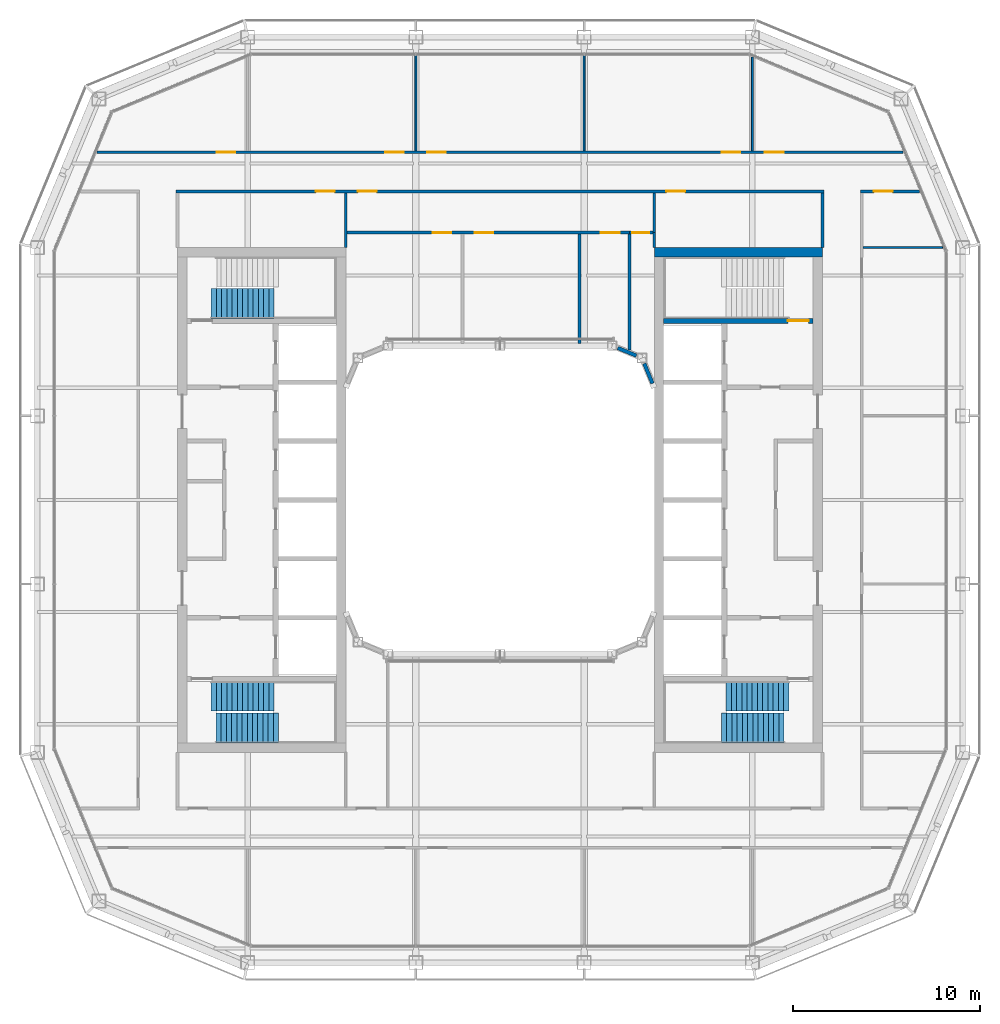
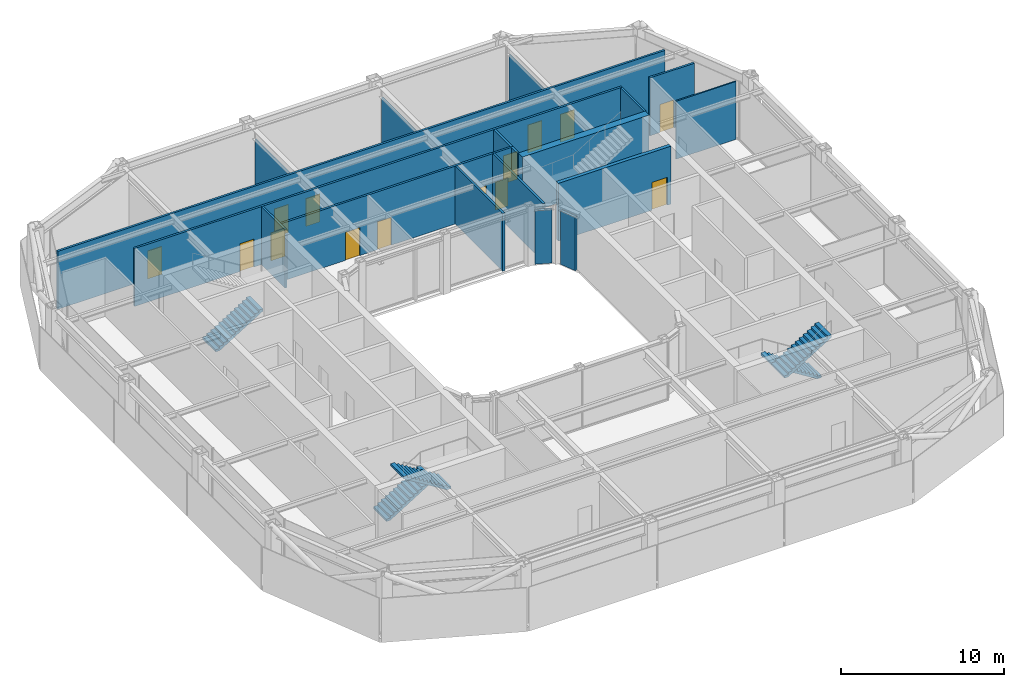
# One storey, part 12 of 17: 19 walls, 14 doors, 5 stair flights, 14 openings, 3 elements without a shape of their own.
"""IFC4 building model written with IfcOpenShell, lengths in metres."""

import ifcopenshell
import ifcopenshell.guid

model = None  # the IFC model being written
_history = None  # IfcOwnerHistory: only IFC2X3 demands one
_inside = {}  # id of a spatial element -> (the spatial element, [elements in it])
_under = {}  # id of a project, library or spatial element -> (it, [spatial elements below it])
_declared = {}  # id of a project -> (the project, [libraries it declares])
_typed = {}  # id of a type object -> (the type object, [elements of that type])
_made_of = {}  # id of a material, layer set ... -> (it, [elements and type objects made of it])


def new_model(schema):
    """Start an empty IFC model of exactly this schema.

    Asked for "IFC4X3", IfcOpenShell would pick the latest addendum, in which some entities
    have other attributes; the version numbers below select the first issue.
    IFC2X3 requires an IfcOwnerHistory on every rooted entity: one is made here for all.
    """
    global model, _history
    if schema == "IFC4X3":
        model = ifcopenshell.file(schema_version=(4, 3, 0, 0))
    else:
        model = ifcopenshell.file(schema=schema)
    _inside.clear()
    _under.clear()
    _declared.clear()
    _typed.clear()
    _made_of.clear()
    _history = None
    if model.schema == "IFC2X3":
        org = make("IfcOrganization", Name="unknown")
        user = make(
            "IfcPersonAndOrganization",
            ThePerson=make("IfcPerson", FamilyName="unknown"),
            TheOrganization=org,
        )
        app = make(
            "IfcApplication",
            ApplicationDeveloper=org,
            Version="unknown",
            ApplicationFullName="unknown",
            ApplicationIdentifier="unknown",
        )
        _history = make(
            "IfcOwnerHistory",
            OwningUser=user,
            OwningApplication=app,
            ChangeAction="ADDED",
            CreationDate=0,
        )
    return model


def make(cls, **values):
    """One entity of the class cls with the attributes given. An attribute that is None is left unset."""
    return model.create_entity(
        cls, **{name: value for name, value in values.items() if value is not None}
    )


def rooted(cls, **values):
    """An entity with a GlobalId (a new one), such as an element, a storey or a relation."""
    return make(cls, GlobalId=ifcopenshell.guid.new(), OwnerHistory=_history, **values)


def si_unit(unit_type, name, prefix=None):
    """IfcSIUnit, for example si_unit("LENGTHUNIT", "METRE", prefix="MILLI")."""
    return make("IfcSIUnit", UnitType=unit_type, Prefix=prefix, Name=name)


def assignment(units):
    """IfcUnitAssignment: the units of a project."""
    return None if units is None else make("IfcUnitAssignment", Units=units)


def point(xyz):
    """IfcCartesianPoint."""
    return None if xyz is None else make("IfcCartesianPoint", Coordinates=xyz)


def direction(xyz):
    """IfcDirection."""
    return None if xyz is None else make("IfcDirection", DirectionRatios=xyz)


def frame(location, z_axis=None, x_axis=None):
    """IfcAxis2Placement3D, a coordinate frame: its origin and axes. An axis left out is left unset."""
    return make(
        "IfcAxis2Placement3D",
        Location=point(location),
        Axis=direction(z_axis),
        RefDirection=direction(x_axis),
    )


def frame_2d(location, x_axis=None):
    """IfcAxis2Placement2D, a coordinate frame in the plane: its origin and x axis."""
    return make(
        "IfcAxis2Placement2D", Location=point(location), RefDirection=direction(x_axis)
    )


def origin():
    """The frame at (0, 0, 0) with its axes left unset."""
    return frame((0.0, 0.0, 0.0))


def place(relative_to, where):
    """IfcLocalPlacement: puts the frame where relative to a parent placement (None: the world)."""
    return make(
        "IfcLocalPlacement", PlacementRelTo=relative_to, RelativePlacement=where
    )


def context(
    kind, dimensions, precision=None, world=None, true_north=None, identifier=None
):
    """IfcGeometricRepresentationContext, for example the 3D "Model" context."""
    return make(
        "IfcGeometricRepresentationContext",
        ContextIdentifier=identifier,
        ContextType=kind,
        CoordinateSpaceDimension=dimensions,
        Precision=precision,
        WorldCoordinateSystem=world,
        TrueNorth=true_north,
    )


def subcontext(parent, identifier, kind, view, scale=None):
    """IfcGeometricRepresentationSubContext, for example "Body" below "Model"."""
    return make(
        "IfcGeometricRepresentationSubContext",
        ContextIdentifier=identifier,
        ContextType=kind,
        ParentContext=parent,
        TargetScale=scale,
        TargetView=view,
    )


def project(units=None, contexts=None):
    """IfcProject with its units and contexts."""
    return rooted(
        "IfcProject",
        Name="project",
        RepresentationContexts=contexts,
        UnitsInContext=assignment(units),
    )


def spatial(cls, under=None, at=None, **own):
    """A site, building, storey or space (cls), placed at a placement, below another one or the project."""
    s = rooted(cls, ObjectPlacement=at, **own)
    if under is not None:
        _under.setdefault(under.id(), (under, []))[1].append(s)
    return s


def polyline(points):
    """IfcPolyline through the points."""
    return make("IfcPolyline", Points=[point(p) for p in points])


def profile(cls, at=None, kind="AREA", **sizes):
    """A parametric profile (cls). Its sizes go by their IFC names, for example OverallWidth=200.0."""
    return make(cls, ProfileType=kind, Position=at, **sizes)


def rectangle(**sizes):
    """IfcRectangleProfileDef."""
    return profile("IfcRectangleProfileDef", **sizes)


def outline(outer, holes=None, kind="AREA"):
    """IfcArbitraryClosedProfileDef: a profile drawn as a closed curve; with holes, ...WithVoids."""
    if holes is None:
        return make("IfcArbitraryClosedProfileDef", ProfileType=kind, OuterCurve=outer)
    return make(
        "IfcArbitraryProfileDefWithVoids",
        ProfileType=kind,
        OuterCurve=outer,
        InnerCurves=holes,
    )


def extrude(swept, where, along, depth):
    """IfcExtrudedAreaSolid: the profile swept, set in the frame where, extruded along a direction by depth."""
    return make(
        "IfcExtrudedAreaSolid",
        SweptArea=swept,
        Position=where,
        ExtrudedDirection=direction(along),
        Depth=depth,
    )


def shape(context_of_items, identifier, shape_type, items):
    """IfcShapeRepresentation: the items that make up one representation, for example the "Body"."""
    return make(
        "IfcShapeRepresentation",
        ContextOfItems=context_of_items,
        RepresentationIdentifier=identifier,
        RepresentationType=shape_type,
        Items=items,
    )


def material(Name=None, Category=None):
    """IfcMaterial."""
    return make("IfcMaterial", Name=Name, Category=Category)


def layer(
    of_material, thickness, ventilated=None, Name=None, Category=None, Priority=None
):
    """IfcMaterialLayer: one layer of a wall or slab, of a material (None: an air gap)."""
    return make(
        "IfcMaterialLayer",
        Material=of_material,
        LayerThickness=thickness,
        IsVentilated=ventilated,
        Name=Name,
        Category=Category,
        Priority=Priority,
    )


def layer_set(layers, Name=None):
    """IfcMaterialLayerSet."""
    return make("IfcMaterialLayerSet", MaterialLayers=layers, LayerSetName=Name)


def made_of(thing, what):
    """Note that an element or type object is made of a material, layer set ...; save() writes the relation."""
    if what is not None:
        _made_of.setdefault(what.id(), (what, []))[1].append(thing)
    return thing


def type_object(cls, material=None, **own):
    """A type object (cls), such as IfcWallType, which elements share."""
    return made_of(rooted(cls, **own), material)


def element(
    cls,
    number,
    at=None,
    inside=None,
    cuts=None,
    type_object=None,
    material=None,
    context=None,
    identifier="Body",
    shape_type=None,
    held_by="IfcProductDefinitionShape",
    body=None,
    shapes=None,
    **own,
):
    """One element of the class cls, such as IfcWall. Its Tag is "e" and its number.

    at: its placement. inside: the storey or other place that contains it. cuts: it is an
    opening in that element (IfcRelVoidsElement). A single representation is given by context,
    identifier, shape_type and body (its items); several are given by shapes. held_by: the class
    of the entity that holds the representations. save() writes the other relations.
    """
    e = rooted(cls, Tag="e%d" % number, ObjectPlacement=at, **own)
    if body is not None:
        shapes = [shape(context, identifier, shape_type, body)]
    if shapes is not None:
        e.Representation = make(held_by, Representations=shapes)
    if inside is not None:
        _inside.setdefault(inside.id(), (inside, []))[1].append(e)
    if cuts is not None:
        rooted(
            "IfcRelVoidsElement", RelatingBuildingElement=cuts, RelatedOpeningElement=e
        )
    if type_object is not None:
        _typed.setdefault(type_object.id(), (type_object, []))[1].append(e)
    return made_of(e, material)


def fill(opening, filler):
    """IfcRelFillsElement: the door or window that sits in an opening."""
    return rooted(
        "IfcRelFillsElement",
        RelatingOpeningElement=opening,
        RelatedBuildingElement=filler,
    )


def aggregate(whole, parts):
    """IfcRelAggregates: a whole, such as a stair, and the parts it consists of."""
    return rooted("IfcRelAggregates", RelatingObject=whole, RelatedObjects=parts)


def save(model, path):
    """Write the relations noted so far, then the file.

    IfcRelAggregates (storeys below a building ...), IfcRelContainedInSpatialStructure (elements
    in a storey), IfcRelDefinesByType, IfcRelAssociatesMaterial and IfcRelDeclares: one each for
    every whole, place, type object, material and project.
    """
    for whole, parts in _under.values():
        aggregate(whole, parts)
    for where, things in _inside.values():
        rooted(
            "IfcRelContainedInSpatialStructure",
            RelatedElements=things,
            RelatingStructure=where,
        )
    for kind, things in _typed.values():
        rooted("IfcRelDefinesByType", RelatedObjects=things, RelatingType=kind)
    for what, things in _made_of.values():
        rooted("IfcRelAssociatesMaterial", RelatedObjects=things, RelatingMaterial=what)
    for by, libraries in _declared.values():
        rooted("IfcRelDeclares", RelatingContext=by, RelatedDefinitions=libraries)
    model.write(path)


model = new_model("IFC4")

# Units and contexts
model_context = context("Model", 3, precision=1e-05, world=origin(), true_north=direction((0.0, 1.0)))
body_context = subcontext(model_context, "Body", "Model", "MODEL_VIEW")
ifc_project = project(units=[si_unit("LENGTHUNIT", "METRE"), si_unit("AREAUNIT", "SQUARE_METRE"), si_unit("VOLUMEUNIT", "CUBIC_METRE"), si_unit("PLANEANGLEUNIT", "RADIAN"), si_unit("MASSUNIT", "GRAM", prefix="KILO")], contexts=[model_context])

# Site, building, storey
site_placement = place(None, origin())
site = spatial("IfcSite", under=ifc_project, at=site_placement, CompositionType="ELEMENT")
building_placement = place(site_placement, origin())
building = spatial("IfcBuilding", under=site, at=building_placement, Name="Siwar Civic Tower", CompositionType="ELEMENT")
storey_placement = place(building_placement, frame((0.0, 0.0, 289.699951171875)))
storey = spatial("IfcBuildingStorey", under=building, at=storey_placement, Name="L62", CompositionType="ELEMENT", Elevation=289.699951171875)

# Wall, opening, door
ifc_material_1 = material(Name="Gypsum board on steel studs", Category="steel")
ifc_layer_1 = layer(ifc_material_1, 0.14990234375)
ifc_layer_set_1 = layer_set([ifc_layer_1], Name="Gypsum board on steel studs")
wall_type_1 = type_object("IfcWallType", Name="COMPARTMENT PARTITION 150 EI 60", PredefinedType="PARTITIONING", material=ifc_layer_set_1)
wall_1_placement = place(storey_placement, frame((6.919921875, 14.300048828125, 0.0), z_axis=(0.0, 0.0, 1.0), x_axis=(1.0, 0.0, 0.0)))
wall_1 = element("IfcWall", 1, at=wall_1_placement, inside=storey, type_object=wall_type_1, Name="L62/wall/P10", PredefinedType="PARTITIONING", context=body_context, shape_type="SweptSolid", body=[
    extrude(rectangle(XDim=1.255126953125, YDim=0.14990234375, at=frame_2d((0.62744140625, 0.0))), origin(), (0.0, 0.0, 1.0), 4.35009765625),
])
opening_1_placement = place(wall_1_placement, frame((0.14990234375, 0.0, 0.0)))
opening_1 = element("IfcOpeningElement", 2, at=opening_1_placement, cuts=wall_1, Name="Opening D4", PredefinedType="OPENING", context=body_context, shape_type="SweptSolid", body=[
    extrude(rectangle(XDim=0.89990234375, YDim=2.10009765625, at=frame_2d((0.449951171875, 1.050048828125))), frame((0.0, 0.0849609375, 0.0), z_axis=(0.0, -1.0, 0.0), x_axis=(1.0, 0.0, 0.0)), (0.0, 0.0, 1.0), 0.169921875),
])
ifc_material_2 = material(Name="Timber, painted", Category="wood")
door_type_1 = type_object("IfcDoorType", Name="DOOR 900 X 2100 FD60", OperationType="SINGLE_SWING_LEFT", PredefinedType="DOOR", material=ifc_material_2)
door_1_placement = place(opening_1_placement, origin())
door_1 = element("IfcDoor", 3, at=door_1_placement, inside=storey, type_object=door_type_1, Name="L62-D15", OperationType="SINGLE_SWING_LEFT", OverallHeight=2.10009765625, OverallWidth=0.89990234375, PredefinedType="DOOR", context=body_context, shape_type="SweptSolid", body=[
    extrude(rectangle(XDim=0.89990234375, YDim=2.10009765625, at=frame_2d((0.449951171875, 1.050048828125))), frame((0.0, 0.02490234375, 0.0), z_axis=(0.0, -1.0, 0.0), x_axis=(1.0, 0.0, 0.0)), (0.0, 0.0, 1.0), 0.050048828125),
])
fill(opening_1, door_1)

# Walls
wall_2_placement = place(storey_placement, frame((6.919921875, 8.029052734375, 0.0), z_axis=(0.0, 0.0, 1.0), x_axis=(0.0, 1.0, 0.0)))
element("IfcWall", 4, at=wall_2_placement, inside=storey, type_object=wall_type_1, Name="L62/wall/P29", PredefinedType="PARTITIONING", context=body_context, shape_type="SweptSolid", body=[
    extrude(rectangle(XDim=6.196044921875, YDim=0.14990234375, at=frame_2d((3.09814453125, 0.0))), origin(), (0.0, 0.0, 1.0), 4.35009765625),
])
wall_3_placement = place(storey_placement, frame((8.25, 13.5, 0.0), z_axis=(0.0, 0.0, 1.0), x_axis=(0.0, 1.0, 0.0)))
element("IfcWall", 5, at=wall_3_placement, inside=storey, type_object=wall_type_1, Name="L62/wall/P32", PredefinedType="PARTITIONING", context=body_context, shape_type="SweptSolid", body=[
    extrude(rectangle(XDim=0.800048828125, YDim=0.14990234375, at=frame_2d((0.39990234375, 0.0))), origin(), (0.0, 0.0, 1.0), 4.35009765625),
])

# Wall, opening, door
ifc_material_3 = material(Name="Concrete C60/75", Category="concrete")
ifc_layer_2 = layer(ifc_material_3, 0.25)
ifc_layer_set_2 = layer_set([ifc_layer_2], Name="Concrete C60/75")
wall_type_2 = type_object("IfcWallType", Name="CORE-WALL-RC250", PredefinedType="SHEAR", material=ifc_layer_set_2)
wall_4_placement = place(storey_placement, frame((8.75, 9.574951171875, 0.0), z_axis=(0.0, 0.0, 1.0), x_axis=(1.0, 0.0, 0.0)))
wall_4 = element("IfcWall", 6, at=wall_4_placement, inside=storey, type_object=wall_type_2, Name="Core wall E", PredefinedType="SHEAR", context=body_context, shape_type="SweptSolid", body=[
    extrude(rectangle(XDim=8.0, YDim=0.25, at=frame_2d((4.0, 0.0))), origin(), (0.0, 0.0, 1.0), 4.35009765625),
])
opening_2_placement = place(wall_4_placement, frame((6.64990234375, 0.0, 0.0)))
opening_2 = element("IfcOpeningElement", 7, at=opening_2_placement, cuts=wall_4, Name="Opening L62-CE03", PredefinedType="OPENING", context=body_context, shape_type="SweptSolid", body=[
    extrude(rectangle(XDim=1.10009765625, YDim=2.10009765625, at=frame_2d((0.550048828125, 1.050048828125))), frame((0.0, 0.135009765625, 0.0), z_axis=(0.0, -1.0, 0.0), x_axis=(1.0, 0.0, 0.0)), (0.0, 0.0, 1.0), 0.27001953125),
])
ifc_material_4 = material(Name="Steel door leaf", Category="steel")
door_type_2 = type_object("IfcDoorType", Name="CORE-DOOR-FD60S", OperationType="SINGLE_SWING_LEFT", PredefinedType="DOOR", material=ifc_material_4)
door_2_placement = place(opening_2_placement, origin())
door_2 = element("IfcDoor", 8, at=door_2_placement, inside=storey, type_object=door_type_2, Name="Stair door L62-CE03", OperationType="SINGLE_SWING_LEFT", OverallHeight=2.10009765625, OverallWidth=1.10009765625, PredefinedType="DOOR", context=body_context, shape_type="SweptSolid", body=[
    extrude(rectangle(XDim=1.10009765625, YDim=2.10009765625, at=frame_2d((0.550048828125, 1.050048828125))), frame((0.0, 0.02490234375, 0.0), z_axis=(0.0, -1.0, 0.0), x_axis=(1.0, 0.0, 0.0)), (0.0, 0.0, 1.0), 0.050048828125),
])
fill(opening_2, door_2)

# Wall
ifc_material_5 = material(Name="Concrete C60/75", Category="concrete")
ifc_layer_3 = layer(ifc_material_5, 0.5)
ifc_layer_set_3 = layer_set([ifc_layer_3], Name="Concrete C60/75")
wall_type_3 = type_object("IfcWallType", Name="CORE-WALL-RC500", PredefinedType="SHEAR", material=ifc_layer_set_3)
wall_5_placement = place(storey_placement, frame((8.25, 13.25, 0.0), z_axis=(0.0, 0.0, 1.0), x_axis=(1.0, 0.0, 0.0)))
element("IfcWall", 9, at=wall_5_placement, inside=storey, type_object=wall_type_3, Name="Core wall E", PredefinedType="SHEAR", context=body_context, shape_type="SweptSolid", body=[
    extrude(rectangle(XDim=9.0, YDim=0.5, at=frame_2d((4.5, 0.0))), origin(), (0.0, 0.0, 1.0), 4.35009765625),
])

# Wall, openings, doors
ifc_material_6 = material(Name="Gypsum board on steel studs", Category="steel")
ifc_layer_4 = layer(ifc_material_6, 0.14990234375)
ifc_layer_set_4 = layer_set([ifc_layer_4], Name="Gypsum board on steel studs")
wall_type_4 = type_object("IfcWallType", Name="CORRIDOR PARTITION 150 EI 30", PredefinedType="PARTITIONING", material=ifc_layer_set_4)
wall_6_placement = place(storey_placement, frame((-8.175048828125, 14.300048828125, 0.0), z_axis=(0.0, 0.0, 1.0), x_axis=(1.0, 0.0, 0.0)))
wall_6 = element("IfcWall", 10, at=wall_6_placement, inside=storey, type_object=wall_type_4, Name="L62/wall/P09", PredefinedType="PARTITIONING", context=body_context, shape_type="SweptSolid", body=[
    extrude(rectangle(XDim=15.094970703125, YDim=0.14990234375, at=frame_2d((7.54736328125, 0.0))), origin(), (0.0, 0.0, 1.0), 4.35009765625),
])
opening_3_placement = place(wall_6_placement, frame((4.574951171875, 0.0, 0.0)))
opening_3 = element("IfcOpeningElement", 11, at=opening_3_placement, cuts=wall_6, Name="Opening D3", PredefinedType="OPENING", context=body_context, shape_type="SweptSolid", body=[
    extrude(rectangle(XDim=1.0, YDim=2.10009765625, at=frame_2d((0.5, 1.050048828125))), frame((0.0, 0.0849609375, 0.0), z_axis=(0.0, -1.0, 0.0), x_axis=(1.0, 0.0, 0.0)), (0.0, 0.0, 1.0), 0.169921875),
])
opening_4_placement = place(wall_6_placement, frame((6.824951171875, 0.0, 0.0)))
opening_4 = element("IfcOpeningElement", 12, at=opening_4_placement, cuts=wall_6, Name="Opening D3", PredefinedType="OPENING", context=body_context, shape_type="SweptSolid", body=[
    extrude(rectangle(XDim=1.0, YDim=2.10009765625, at=frame_2d((0.5, 1.050048828125))), frame((0.0, 0.0849609375, 0.0), z_axis=(0.0, -1.0, 0.0), x_axis=(1.0, 0.0, 0.0)), (0.0, 0.0, 1.0), 0.169921875),
])
opening_5_placement = place(wall_6_placement, frame((13.574951171875, 0.0, 0.0)))
opening_5 = element("IfcOpeningElement", 13, at=opening_5_placement, cuts=wall_6, Name="Opening D3", PredefinedType="OPENING", context=body_context, shape_type="SweptSolid", body=[
    extrude(rectangle(XDim=1.0, YDim=2.10009765625, at=frame_2d((0.5, 1.050048828125))), frame((0.0, 0.0849609375, 0.0), z_axis=(0.0, -1.0, 0.0), x_axis=(1.0, 0.0, 0.0)), (0.0, 0.0, 1.0), 0.169921875),
])
ifc_material_7 = material(Name="Timber, painted", Category="wood")
door_type_3 = type_object("IfcDoorType", Name="DOOR 1000 X 2100 WC", OperationType="SINGLE_SWING_LEFT", PredefinedType="DOOR", material=ifc_material_7)
door_3_placement = place(opening_3_placement, origin())
door_3 = element("IfcDoor", 14, at=door_3_placement, inside=storey, type_object=door_type_3, Name="L62-D12", OperationType="SINGLE_SWING_RIGHT", OverallHeight=2.10009765625, OverallWidth=1.0, PredefinedType="DOOR", context=body_context, shape_type="SweptSolid", body=[
    extrude(rectangle(XDim=1.0, YDim=2.10009765625, at=frame_2d((0.5, 1.050048828125))), frame((0.0, 0.02490234375, 0.0), z_axis=(0.0, -1.0, 0.0), x_axis=(1.0, 0.0, 0.0)), (0.0, 0.0, 1.0), 0.050048828125),
])
fill(opening_3, door_3)
door_4_placement = place(opening_4_placement, origin())
door_4 = element("IfcDoor", 15, at=door_4_placement, inside=storey, type_object=door_type_3, Name="L62-D13", OperationType="SINGLE_SWING_LEFT", OverallHeight=2.10009765625, OverallWidth=1.0, PredefinedType="DOOR", context=body_context, shape_type="SweptSolid", body=[
    extrude(rectangle(XDim=1.0, YDim=2.10009765625, at=frame_2d((0.5, 1.050048828125))), frame((0.0, 0.02490234375, 0.0), z_axis=(0.0, -1.0, 0.0), x_axis=(1.0, 0.0, 0.0)), (0.0, 0.0, 1.0), 0.050048828125),
])
fill(opening_4, door_4)
door_5_placement = place(opening_5_placement, origin())
door_5 = element("IfcDoor", 16, at=door_5_placement, inside=storey, type_object=door_type_3, Name="L62-D14", OperationType="SINGLE_SWING_RIGHT", OverallHeight=2.10009765625, OverallWidth=1.0, PredefinedType="DOOR", context=body_context, shape_type="SweptSolid", body=[
    extrude(rectangle(XDim=1.0, YDim=2.10009765625, at=frame_2d((0.5, 1.050048828125))), frame((0.0, 0.02490234375, 0.0), z_axis=(0.0, -1.0, 0.0), x_axis=(1.0, 0.0, 0.0)), (0.0, 0.0, 1.0), 0.050048828125),
])
fill(opening_5, door_5)

wall_7_placement = place(storey_placement, frame((-17.324951171875, 16.5, 0.0), z_axis=(0.0, 0.0, 1.0), x_axis=(1.0, 0.0, 0.0)))
wall_7 = element("IfcWall", 17, at=wall_7_placement, inside=storey, type_object=wall_type_4, Name="L62/wall/P12", PredefinedType="PARTITIONING", context=body_context, shape_type="SweptSolid", body=[
    extrude(rectangle(XDim=34.64990234375, YDim=0.14990234375, at=frame_2d((17.324951171875, 0.0))), origin(), (0.0, 0.0, 1.0), 4.35009765625),
])
opening_6_placement = place(wall_7_placement, frame((9.72509765625, 0.0, 0.0)))
opening_6 = element("IfcOpeningElement", 18, at=opening_6_placement, cuts=wall_7, Name="Opening D1", PredefinedType="OPENING", context=body_context, shape_type="SweptSolid", body=[
    extrude(rectangle(XDim=1.0, YDim=2.10009765625, at=frame_2d((0.5, 1.050048828125))), frame((0.0, 0.0849609375, 0.0), z_axis=(0.0, -1.0, 0.0), x_axis=(1.0, 0.0, 0.0)), (0.0, 0.0, 1.0), 0.169921875),
])
opening_7_placement = place(wall_7_placement, frame((7.47509765625, 0.0, 0.0)))
opening_7 = element("IfcOpeningElement", 19, at=opening_7_placement, cuts=wall_7, Name="Opening D1", PredefinedType="OPENING", context=body_context, shape_type="SweptSolid", body=[
    extrude(rectangle(XDim=1.0, YDim=2.10009765625, at=frame_2d((0.5, 1.050048828125))), frame((0.0, 0.0849609375, 0.0), z_axis=(0.0, -1.0, 0.0), x_axis=(1.0, 0.0, 0.0)), (0.0, 0.0, 1.0), 0.169921875),
])
opening_8_placement = place(wall_7_placement, frame((26.22509765625, 0.0, 0.0)))
opening_8 = element("IfcOpeningElement", 20, at=opening_8_placement, cuts=wall_7, Name="Opening D1", PredefinedType="OPENING", context=body_context, shape_type="SweptSolid", body=[
    extrude(rectangle(XDim=1.0, YDim=2.10009765625, at=frame_2d((0.5, 1.050048828125))), frame((0.0, 0.0849609375, 0.0), z_axis=(0.0, -1.0, 0.0), x_axis=(1.0, 0.0, 0.0)), (0.0, 0.0, 1.0), 0.169921875),
])
ifc_material_8 = material(Name="Timber, painted", Category="wood")
door_type_4 = type_object("IfcDoorType", Name="DOOR 1000 X 2100 FD30", OperationType="SINGLE_SWING_LEFT", PredefinedType="DOOR", material=ifc_material_8)
door_6_placement = place(opening_6_placement, origin())
door_6 = element("IfcDoor", 21, at=door_6_placement, inside=storey, type_object=door_type_4, Name="L62-D11", OperationType="SINGLE_SWING_LEFT", OverallHeight=2.10009765625, OverallWidth=1.0, PredefinedType="DOOR", context=body_context, shape_type="SweptSolid", body=[
    extrude(rectangle(XDim=1.0, YDim=2.10009765625, at=frame_2d((0.5, 1.050048828125))), frame((0.0, 0.02490234375, 0.0), z_axis=(0.0, -1.0, 0.0), x_axis=(1.0, 0.0, 0.0)), (0.0, 0.0, 1.0), 0.050048828125),
])
fill(opening_6, door_6)
door_7_placement = place(opening_7_placement, origin())
door_7 = element("IfcDoor", 22, at=door_7_placement, inside=storey, type_object=door_type_4, Name="L62-D18", OperationType="SINGLE_SWING_RIGHT", OverallHeight=2.10009765625, OverallWidth=1.0, PredefinedType="DOOR", context=body_context, shape_type="SweptSolid", body=[
    extrude(rectangle(XDim=1.0, YDim=2.10009765625, at=frame_2d((0.5, 1.050048828125))), frame((0.0, 0.02490234375, 0.0), z_axis=(0.0, -1.0, 0.0), x_axis=(1.0, 0.0, 0.0)), (0.0, 0.0, 1.0), 0.050048828125),
])
fill(opening_7, door_7)
door_8_placement = place(opening_8_placement, origin())
door_8 = element("IfcDoor", 23, at=door_8_placement, inside=storey, type_object=door_type_4, Name="L62-D19", OperationType="SINGLE_SWING_LEFT", OverallHeight=2.10009765625, OverallWidth=1.0, PredefinedType="DOOR", context=body_context, shape_type="SweptSolid", body=[
    extrude(rectangle(XDim=1.0, YDim=2.10009765625, at=frame_2d((0.5, 1.050048828125))), frame((0.0, 0.02490234375, 0.0), z_axis=(0.0, -1.0, 0.0), x_axis=(1.0, 0.0, 0.0)), (0.0, 0.0, 1.0), 0.050048828125),
])
fill(opening_8, door_8)

# Wall, opening, door
wall_8_placement = place(storey_placement, frame((19.27490234375, 16.5, 0.0), z_axis=(0.0, 0.0, 1.0), x_axis=(1.0, 0.0, 0.0)))
wall_8 = element("IfcWall", 24, at=wall_8_placement, inside=storey, type_object=wall_type_4, Name="L62/wall/P13", PredefinedType="PARTITIONING", context=body_context, shape_type="SweptSolid", body=[
    extrude(rectangle(XDim=3.1611328125, YDim=0.14990234375, at=frame_2d((1.58056640625, 0.0))), origin(), (0.0, 0.0, 1.0), 4.35009765625),
])
opening_9_placement = place(wall_8_placement, frame((0.72509765625, 0.0, 0.0)))
opening_9 = element("IfcOpeningElement", 25, at=opening_9_placement, cuts=wall_8, Name="Opening D1", PredefinedType="OPENING", context=body_context, shape_type="SweptSolid", body=[
    extrude(rectangle(XDim=1.0, YDim=2.10009765625, at=frame_2d((0.5, 1.050048828125))), frame((0.0, 0.0849609375, 0.0), z_axis=(0.0, -1.0, 0.0), x_axis=(1.0, 0.0, 0.0)), (0.0, 0.0, 1.0), 0.169921875),
])
door_9_placement = place(opening_9_placement, origin())
door_9 = element("IfcDoor", 26, at=door_9_placement, inside=storey, type_object=door_type_4, Name="L62-D27", OperationType="SINGLE_SWING_LEFT", OverallHeight=2.10009765625, OverallWidth=1.0, PredefinedType="DOOR", context=body_context, shape_type="SweptSolid", body=[
    extrude(rectangle(XDim=1.0, YDim=2.10009765625, at=frame_2d((0.5, 1.050048828125))), frame((0.0, 0.02490234375, 0.0), z_axis=(0.0, -1.0, 0.0), x_axis=(1.0, 0.0, 0.0)), (0.0, 0.0, 1.0), 0.050048828125),
])
fill(opening_9, door_9)

# Wall, openings, doors
wall_9_placement = place(storey_placement, frame((-21.56591796875, 18.60009765625, 0.0), z_axis=(0.0, 0.0, 1.0), x_axis=(1.0, 0.0, 0.0)))
wall_9 = element("IfcWall", 27, at=wall_9_placement, inside=storey, type_object=wall_type_4, Name="L62/wall/P14", PredefinedType="PARTITIONING", context=body_context, shape_type="SweptSolid", body=[
    extrude(rectangle(XDim=43.1318359375, YDim=0.14990234375, at=frame_2d((21.56591796875, 0.0))), origin(), (0.0, 0.0, 1.0), 4.35009765625),
])
opening_10_placement = place(wall_9_placement, frame((15.416015625, 0.0, 0.0)))
opening_10 = element("IfcOpeningElement", 28, at=opening_10_placement, cuts=wall_9, Name="Opening D1", PredefinedType="OPENING", context=body_context, shape_type="SweptSolid", body=[
    extrude(rectangle(XDim=1.0, YDim=2.10009765625, at=frame_2d((0.5, 1.050048828125))), frame((0.0, 0.0849609375, 0.0), z_axis=(0.0, -1.0, 0.0), x_axis=(1.0, 0.0, 0.0)), (0.0, 0.0, 1.0), 0.169921875),
])
opening_11_placement = place(wall_9_placement, frame((17.666015625, 0.0, 0.0)))
opening_11 = element("IfcOpeningElement", 29, at=opening_11_placement, cuts=wall_9, Name="Opening D1", PredefinedType="OPENING", context=body_context, shape_type="SweptSolid", body=[
    extrude(rectangle(XDim=1.0, YDim=2.10009765625, at=frame_2d((0.5, 1.050048828125))), frame((0.0, 0.0849609375, 0.0), z_axis=(0.0, -1.0, 0.0), x_axis=(1.0, 0.0, 0.0)), (0.0, 0.0, 1.0), 0.169921875),
])
opening_12_placement = place(wall_9_placement, frame((33.416015625, 0.0, 0.0)))
opening_12 = element("IfcOpeningElement", 30, at=opening_12_placement, cuts=wall_9, Name="Opening D1", PredefinedType="OPENING", context=body_context, shape_type="SweptSolid", body=[
    extrude(rectangle(XDim=1.0, YDim=2.10009765625, at=frame_2d((0.5, 1.050048828125))), frame((0.0, 0.0849609375, 0.0), z_axis=(0.0, -1.0, 0.0), x_axis=(1.0, 0.0, 0.0)), (0.0, 0.0, 1.0), 0.169921875),
])
opening_13_placement = place(wall_9_placement, frame((6.416015625, 0.0, 0.0)))
opening_13 = element("IfcOpeningElement", 31, at=opening_13_placement, cuts=wall_9, Name="Opening D1", PredefinedType="OPENING", context=body_context, shape_type="SweptSolid", body=[
    extrude(rectangle(XDim=1.0, YDim=2.10009765625, at=frame_2d((0.5, 1.050048828125))), frame((0.0, 0.0849609375, 0.0), z_axis=(0.0, -1.0, 0.0), x_axis=(1.0, 0.0, 0.0)), (0.0, 0.0, 1.0), 0.169921875),
])
opening_14_placement = place(wall_9_placement, frame((35.73193359375, 0.0, 0.0)))
opening_14 = element("IfcOpeningElement", 32, at=opening_14_placement, cuts=wall_9, Name="Opening D1", PredefinedType="OPENING", context=body_context, shape_type="SweptSolid", body=[
    extrude(rectangle(XDim=1.0, YDim=2.10009765625, at=frame_2d((0.5, 1.050048828125))), frame((0.0, 0.0849609375, 0.0), z_axis=(0.0, -1.0, 0.0), x_axis=(1.0, 0.0, 0.0)), (0.0, 0.0, 1.0), 0.169921875),
])
door_10_placement = place(opening_10_placement, origin())
door_10 = element("IfcDoor", 33, at=door_10_placement, inside=storey, type_object=door_type_4, Name="L62-D01", OperationType="SINGLE_SWING_LEFT", OverallHeight=2.10009765625, OverallWidth=1.0, PredefinedType="DOOR", context=body_context, shape_type="SweptSolid", body=[
    extrude(rectangle(XDim=1.0, YDim=2.10009765625, at=frame_2d((0.5, 1.050048828125))), frame((0.0, 0.02490234375, 0.0), z_axis=(0.0, -1.0, 0.0), x_axis=(1.0, 0.0, 0.0)), (0.0, 0.0, 1.0), 0.050048828125),
])
fill(opening_10, door_10)
door_11_placement = place(opening_11_placement, origin())
door_11 = element("IfcDoor", 34, at=door_11_placement, inside=storey, type_object=door_type_4, Name="L62-D02", OperationType="SINGLE_SWING_RIGHT", OverallHeight=2.10009765625, OverallWidth=1.0, PredefinedType="DOOR", context=body_context, shape_type="SweptSolid", body=[
    extrude(rectangle(XDim=1.0, YDim=2.10009765625, at=frame_2d((0.5, 1.050048828125))), frame((0.0, 0.02490234375, 0.0), z_axis=(0.0, -1.0, 0.0), x_axis=(1.0, 0.0, 0.0)), (0.0, 0.0, 1.0), 0.050048828125),
])
fill(opening_11, door_11)
door_12_placement = place(opening_12_placement, origin())
door_12 = element("IfcDoor", 35, at=door_12_placement, inside=storey, type_object=door_type_4, Name="L62-D03", OperationType="SINGLE_SWING_LEFT", OverallHeight=2.10009765625, OverallWidth=1.0, PredefinedType="DOOR", context=body_context, shape_type="SweptSolid", body=[
    extrude(rectangle(XDim=1.0, YDim=2.10009765625, at=frame_2d((0.5, 1.050048828125))), frame((0.0, 0.02490234375, 0.0), z_axis=(0.0, -1.0, 0.0), x_axis=(1.0, 0.0, 0.0)), (0.0, 0.0, 1.0), 0.050048828125),
])
fill(opening_12, door_12)
door_13_placement = place(opening_13_placement, origin())
door_13 = element("IfcDoor", 36, at=door_13_placement, inside=storey, type_object=door_type_4, Name="L62-D07", OperationType="SINGLE_SWING_LEFT", OverallHeight=2.10009765625, OverallWidth=1.0, PredefinedType="DOOR", context=body_context, shape_type="SweptSolid", body=[
    extrude(rectangle(XDim=1.0, YDim=2.10009765625, at=frame_2d((0.5, 1.050048828125))), frame((0.0, 0.02490234375, 0.0), z_axis=(0.0, -1.0, 0.0), x_axis=(1.0, 0.0, 0.0)), (0.0, 0.0, 1.0), 0.050048828125),
])
fill(opening_13, door_13)
door_14_placement = place(opening_14_placement, origin())
door_14 = element("IfcDoor", 37, at=door_14_placement, inside=storey, type_object=door_type_4, Name="L62-D08", OperationType="SINGLE_SWING_RIGHT", OverallHeight=2.10009765625, OverallWidth=1.0, PredefinedType="DOOR", context=body_context, shape_type="SweptSolid", body=[
    extrude(rectangle(XDim=1.0, YDim=2.10009765625, at=frame_2d((0.5, 1.050048828125))), frame((0.0, 0.02490234375, 0.0), z_axis=(0.0, -1.0, 0.0), x_axis=(1.0, 0.0, 0.0)), (0.0, 0.0, 1.0), 0.050048828125),
])
fill(opening_14, door_14)

# Walls
wall_10_placement = place(storey_placement, frame((-8.25, 13.5, 0.0), z_axis=(0.0, 0.0, 1.0), x_axis=(0.0, 1.0, 0.0)))
element("IfcWall", 38, at=wall_10_placement, inside=storey, type_object=wall_type_4, Name="L62/wall/P21", PredefinedType="PARTITIONING", context=body_context, shape_type="SweptSolid", body=[
    extrude(rectangle(XDim=2.925048828125, YDim=0.14990234375, at=frame_2d((1.46240234375, 0.0))), origin(), (0.0, 0.0, 1.0), 4.35009765625),
])
wall_11_placement = place(storey_placement, frame((4.25, 8.3701171875, 0.0), z_axis=(0.0, 0.0, 1.0), x_axis=(0.0, 1.0, 0.0)))
element("IfcWall", 39, at=wall_11_placement, inside=storey, type_object=wall_type_4, Name="L62/wall/P26", PredefinedType="PARTITIONING", context=body_context, shape_type="SweptSolid", body=[
    extrude(rectangle(XDim=5.85498046875, YDim=0.14990234375, at=frame_2d((2.927490234375, 0.0))), origin(), (0.0, 0.0, 1.0), 4.35009765625),
])
wall_12_placement = place(storey_placement, frame((8.25, 14.300048828125, 0.0), z_axis=(0.0, 0.0, 1.0), x_axis=(0.0, 1.0, 0.0)))
element("IfcWall", 40, at=wall_12_placement, inside=storey, type_object=wall_type_4, Name="L62/wall/P31", PredefinedType="PARTITIONING", context=body_context, shape_type="SweptSolid", body=[
    extrude(rectangle(XDim=2.125, YDim=0.14990234375, at=frame_2d((1.0625, 0.0))), origin(), (0.0, 0.0, 1.0), 4.35009765625),
])
wall_13_placement = place(storey_placement, frame((17.25, 13.5, 0.0), z_axis=(0.0, 0.0, 1.0), x_axis=(0.0, 1.0, 0.0)))
element("IfcWall", 41, at=wall_13_placement, inside=storey, type_object=wall_type_4, Name="L62/wall/P36", PredefinedType="PARTITIONING", context=body_context, shape_type="SweptSolid", body=[
    extrude(rectangle(XDim=2.925048828125, YDim=0.14990234375, at=frame_2d((1.46240234375, 0.0))), origin(), (0.0, 0.0, 1.0), 4.35009765625),
])
ifc_material_9 = material(Name="Aluminium clad insulated panel", Category="aluminium")
ifc_layer_5 = layer(ifc_material_9, 0.199951171875)
ifc_layer_set_5 = layer_set([ifc_layer_5], Name="Aluminium clad insulated panel")
wall_type_5 = type_object("IfcWallType", Name="ENV-WALL-WELL", PredefinedType="STANDARD", material=ifc_layer_set_5)
wall_14_placement = place(storey_placement, frame((8.154296875, 6.23095703125, 0.0), z_axis=(0.0, 0.0, 1.0), x_axis=(-0.382571404949, 0.923925927829, 0.0)))
element("IfcWall", 42, at=wall_14_placement, inside=storey, type_object=wall_type_5, Name="Light well corner wall NE1", PredefinedType="STANDARD", context=body_context, shape_type="SweptSolid", body=[
    extrude(rectangle(XDim=1.1455078125, YDim=0.199951171875, at=frame_2d((0.57275390625, 0.0))), origin(), (0.0, 0.0, 1.0), 4.010009765625),
])
wall_15_placement = place(storey_placement, frame((7.289306640625, 7.716064453125, 0.0), z_axis=(0.0, 0.0, 1.0), x_axis=(-0.923919409248, 0.382587147216, 0.0)))
element("IfcWall", 43, at=wall_15_placement, inside=storey, type_object=wall_type_5, Name="Light well corner wall NE2", PredefinedType="STANDARD", context=body_context, shape_type="SweptSolid", body=[
    extrude(rectangle(XDim=1.06884765625, YDim=0.199951171875, at=frame_2d((0.534423828125, 0.0))), origin(), (0.0, 0.0, 1.0), 4.010009765625),
])
ifc_material_10 = material(Name="Gypsum board on steel studs", Category="steel")
ifc_layer_6 = layer(ifc_material_10, 0.10009765625)
ifc_layer_set_6 = layer_set([ifc_layer_6], Name="Gypsum board on steel studs")
wall_type_6 = type_object("IfcWallType", Name="PARTITION 100 GYPSUM", PredefinedType="PARTITIONING", material=ifc_layer_set_6)
wall_16_placement = place(storey_placement, frame((19.425048828125, 13.5, 0.0), z_axis=(0.0, 0.0, 1.0), x_axis=(1.0, 0.0, 0.0)))
element("IfcWall", 44, at=wall_16_placement, inside=storey, type_object=wall_type_6, Name="L62/wall/P08", PredefinedType="PARTITIONING", context=body_context, shape_type="SweptSolid", body=[
    extrude(rectangle(XDim=4.2529296875, YDim=0.10009765625, at=frame_2d((2.12646484375, 0.0))), origin(), (0.0, 0.0, 1.0), 4.35009765625),
])
for number, where, z_axis, x_axis, name in (
    (45, (-4.5, 18.675048828125, 0.0), (0.0, 0.0, 1.0), (0.0, 1.0, 0.0), "L62/wall/P24"),
    (46, (4.5, 18.675048828125, 0.0), (0.0, 0.0, 1.0), (0.0, 1.0, 0.0), "L62/wall/P28"),
):
    element("IfcWall", number, at=place(storey_placement, frame(where, z_axis=z_axis, x_axis=x_axis)), inside=storey, type_object=wall_type_6, Name=name, PredefinedType="PARTITIONING", context=body_context, shape_type="SweptSolid", body=[
        extrude(rectangle(XDim=5.0849609375, YDim=0.10009765625, at=frame_2d((2.54248046875, 0.0))), origin(), (0.0, 0.0, 1.0), 3.650146484375),
    ])
wall_17_placement = place(storey_placement, frame((13.5, 18.675048828125, 0.0), z_axis=(0.0, 0.0, 1.0), x_axis=(0.0, 1.0, 0.0)))
element("IfcWall", 47, at=wall_17_placement, inside=storey, type_object=wall_type_6, Name="L62/wall/P34", PredefinedType="PARTITIONING", context=body_context, shape_type="SweptSolid", body=[
    extrude(rectangle(XDim=5.0029296875, YDim=0.10009765625, at=frame_2d((2.50146484375, 0.0))), origin(), (0.0, 0.0, 1.0), 3.75),
])

# Stair, stair flight
ifc_material_11 = material(Name="Concrete C40/50", Category="concrete")
stair_type = type_object("IfcStairType", Name="CORE-STAIR", PredefinedType="TWO_STRAIGHT_RUN_STAIR", material=ifc_material_11)
stair_1_placement = place(storey_placement, origin())
stair_1 = element("IfcStair", 48, at=stair_1_placement, inside=storey, type_object=stair_type, Name="Exit stair ST1", PredefinedType="TWO_STRAIGHT_RUN_STAIR")
ifc_material_12 = material(Name="Concrete C40/50", Category="concrete")
stair_flight_type = type_object("IfcStairFlightType", Name="CORE-STAIR-FLIGHT", PredefinedType="STRAIGHT", material=ifc_material_12)
stair_flight_1_placement = place(storey_placement, frame((-15.449951171875, 10.5, 0.0), z_axis=(0.0, 0.0, 1.0), x_axis=(1.0, 0.0, 0.0)))
stair_flight_1 = element("IfcStairFlight", 49, at=stair_flight_1_placement, type_object=stair_flight_type, Name="ST1 flight 1", NumberOfRisers=13, NumberOfTreads=12, PredefinedType="STRAIGHT", RiserHeight=0.173076923, TreadLength=0.28, context=body_context, shape_type="SweptSolid", body=[
    extrude(outline(polyline([(0.0, 0.0), (0.0, 0.173095703125), (0.280029296875, 0.173095703125), (0.280029296875, 0.34619140625), (0.56005859375, 0.34619140625), (0.56005859375, 0.519287109375), (0.840087890625, 0.519287109375), (0.840087890625, 0.6923828125), (1.1201171875, 0.6923828125), (1.1201171875, 0.865478515625), (1.39990234375, 0.865478515625), (1.39990234375, 1.03857421875), (1.679931640625, 1.03857421875), (1.679931640625, 1.21142578125), (1.9599609375, 1.21142578125), (1.9599609375, 1.384521484375), (2.239990234375, 1.384521484375), (2.239990234375, 1.5576171875), (2.52001953125, 1.5576171875), (2.52001953125, 1.730712890625), (2.800048828125, 1.730712890625), (2.800048828125, 1.90380859375), (3.080078125, 1.90380859375), (3.080078125, 2.076904296875), (3.360107421875, 2.076904296875), (3.360107421875, 2.25), (3.360107421875, 1.900634765625), (0.28515625, 0.0), (0.0, 0.0)])), frame((0.0, 0.800048828125, 0.0), z_axis=(0.0, -1.0, 0.0), x_axis=(1.0, 0.0, 0.0)), (0.0, 0.0, 1.0), 1.60009765625),
])
aggregate(stair_1, [stair_flight_1])

# Stair, stair flights
stair_2_placement = place(storey_placement, origin())
stair_2 = element("IfcStair", 50, at=stair_2_placement, inside=storey, type_object=stair_type, Name="Exit stair ST2", PredefinedType="TWO_STRAIGHT_RUN_STAIR")
stair_flight_2_placement = place(storey_placement, frame((-15.449951171875, -10.5, 0.0), z_axis=(0.0, 0.0, 1.0), x_axis=(1.0, 0.0, 0.0)))
stair_flight_2 = element("IfcStairFlight", 51, at=stair_flight_2_placement, type_object=stair_flight_type, Name="ST2 flight 1", NumberOfRisers=13, NumberOfTreads=12, PredefinedType="STRAIGHT", RiserHeight=0.173076923, TreadLength=0.28, context=body_context, shape_type="SweptSolid", body=[
    extrude(outline(polyline([(0.0, 0.0), (0.0, 0.173095703125), (0.280029296875, 0.173095703125), (0.280029296875, 0.34619140625), (0.56005859375, 0.34619140625), (0.56005859375, 0.519287109375), (0.840087890625, 0.519287109375), (0.840087890625, 0.6923828125), (1.1201171875, 0.6923828125), (1.1201171875, 0.865478515625), (1.39990234375, 0.865478515625), (1.39990234375, 1.03857421875), (1.679931640625, 1.03857421875), (1.679931640625, 1.21142578125), (1.9599609375, 1.21142578125), (1.9599609375, 1.384521484375), (2.239990234375, 1.384521484375), (2.239990234375, 1.5576171875), (2.52001953125, 1.5576171875), (2.52001953125, 1.730712890625), (2.800048828125, 1.730712890625), (2.800048828125, 1.90380859375), (3.080078125, 1.90380859375), (3.080078125, 2.076904296875), (3.360107421875, 2.076904296875), (3.360107421875, 2.25), (3.360107421875, 1.900634765625), (0.28515625, 0.0), (0.0, 0.0)])), frame((0.0, 0.800048828125, 0.0), z_axis=(0.0, -1.0, 0.0), x_axis=(1.0, 0.0, 0.0)), (0.0, 0.0, 1.0), 1.60009765625),
])
stair_flight_3_placement = place(storey_placement, frame((-11.840087890625, -12.199951171875, 2.25), z_axis=(0.0, 0.0, 1.0), x_axis=(-1.0, 0.0, 0.0)))
stair_flight_3 = element("IfcStairFlight", 52, at=stair_flight_3_placement, type_object=stair_flight_type, Name="ST2 flight 2", NumberOfRisers=13, NumberOfTreads=12, PredefinedType="STRAIGHT", RiserHeight=0.173076923, TreadLength=0.28, context=body_context, shape_type="SweptSolid", body=[
    extrude(outline(polyline([(0.0, 0.0), (0.0, 0.173095703125), (0.280029296875, 0.173095703125), (0.280029296875, 0.34619140625), (0.56005859375, 0.34619140625), (0.56005859375, 0.519287109375), (0.840087890625, 0.519287109375), (0.840087890625, 0.6923828125), (1.1201171875, 0.6923828125), (1.1201171875, 0.865478515625), (1.39990234375, 0.865478515625), (1.39990234375, 1.03857421875), (1.679931640625, 1.03857421875), (1.679931640625, 1.21142578125), (1.9599609375, 1.21142578125), (1.9599609375, 1.384521484375), (2.239990234375, 1.384521484375), (2.239990234375, 1.5576171875), (2.52001953125, 1.5576171875), (2.52001953125, 1.730712890625), (2.800048828125, 1.730712890625), (2.800048828125, 1.90380859375), (3.080078125, 1.90380859375), (3.080078125, 2.076904296875), (3.360107421875, 2.076904296875), (3.360107421875, 2.25), (3.360107421875, 1.900634765625), (0.28515625, 0.0), (0.0, 0.0)])), frame((0.0, 0.800048828125, 0.0), z_axis=(0.0, -1.0, 0.0), x_axis=(1.0, 0.0, 0.0)), (0.0, 0.0, 1.0), 1.60009765625),
])
aggregate(stair_2, [stair_flight_2, stair_flight_3])

stair_3_placement = place(storey_placement, origin())
stair_3 = element("IfcStair", 53, at=stair_3_placement, inside=storey, type_object=stair_type, Name="Exit stair ST4", PredefinedType="TWO_STRAIGHT_RUN_STAIR")
stair_flight_4_placement = place(storey_placement, frame((15.449951171875, -10.5, 0.0), z_axis=(0.0, 0.0, 1.0), x_axis=(-1.0, 0.0, 0.0)))
stair_flight_4 = element("IfcStairFlight", 54, at=stair_flight_4_placement, type_object=stair_flight_type, Name="ST4 flight 1", NumberOfRisers=13, NumberOfTreads=12, PredefinedType="STRAIGHT", RiserHeight=0.173076923, TreadLength=0.28, context=body_context, shape_type="SweptSolid", body=[
    extrude(outline(polyline([(0.0, 0.0), (0.0, 0.173095703125), (0.280029296875, 0.173095703125), (0.280029296875, 0.34619140625), (0.56005859375, 0.34619140625), (0.56005859375, 0.519287109375), (0.840087890625, 0.519287109375), (0.840087890625, 0.6923828125), (1.1201171875, 0.6923828125), (1.1201171875, 0.865478515625), (1.39990234375, 0.865478515625), (1.39990234375, 1.03857421875), (1.679931640625, 1.03857421875), (1.679931640625, 1.21142578125), (1.9599609375, 1.21142578125), (1.9599609375, 1.384521484375), (2.239990234375, 1.384521484375), (2.239990234375, 1.5576171875), (2.52001953125, 1.5576171875), (2.52001953125, 1.730712890625), (2.800048828125, 1.730712890625), (2.800048828125, 1.90380859375), (3.080078125, 1.90380859375), (3.080078125, 2.076904296875), (3.360107421875, 2.076904296875), (3.360107421875, 2.25), (3.360107421875, 1.900634765625), (0.28515625, 0.0), (0.0, 0.0)])), frame((0.0, 0.800048828125, 0.0), z_axis=(0.0, -1.0, 0.0), x_axis=(1.0, 0.0, 0.0)), (0.0, 0.0, 1.0), 1.60009765625),
])
stair_flight_5_placement = place(storey_placement, frame((11.840087890625, -12.199951171875, 2.25), z_axis=(0.0, 0.0, 1.0), x_axis=(1.0, 0.0, 0.0)))
stair_flight_5 = element("IfcStairFlight", 55, at=stair_flight_5_placement, type_object=stair_flight_type, Name="ST4 flight 2", NumberOfRisers=13, NumberOfTreads=12, PredefinedType="STRAIGHT", RiserHeight=0.173076923, TreadLength=0.28, context=body_context, shape_type="SweptSolid", body=[
    extrude(outline(polyline([(0.0, 0.0), (0.0, 0.173095703125), (0.280029296875, 0.173095703125), (0.280029296875, 0.34619140625), (0.56005859375, 0.34619140625), (0.56005859375, 0.519287109375), (0.840087890625, 0.519287109375), (0.840087890625, 0.6923828125), (1.1201171875, 0.6923828125), (1.1201171875, 0.865478515625), (1.39990234375, 0.865478515625), (1.39990234375, 1.03857421875), (1.679931640625, 1.03857421875), (1.679931640625, 1.21142578125), (1.9599609375, 1.21142578125), (1.9599609375, 1.384521484375), (2.239990234375, 1.384521484375), (2.239990234375, 1.5576171875), (2.52001953125, 1.5576171875), (2.52001953125, 1.730712890625), (2.800048828125, 1.730712890625), (2.800048828125, 1.90380859375), (3.080078125, 1.90380859375), (3.080078125, 2.076904296875), (3.360107421875, 2.076904296875), (3.360107421875, 2.25), (3.360107421875, 1.900634765625), (0.28515625, 0.0), (0.0, 0.0)])), frame((0.0, 0.800048828125, 0.0), z_axis=(0.0, -1.0, 0.0), x_axis=(1.0, 0.0, 0.0)), (0.0, 0.0, 1.0), 1.60009765625),
])
aggregate(stair_3, [stair_flight_4, stair_flight_5])

save(model, "model.ifc")
